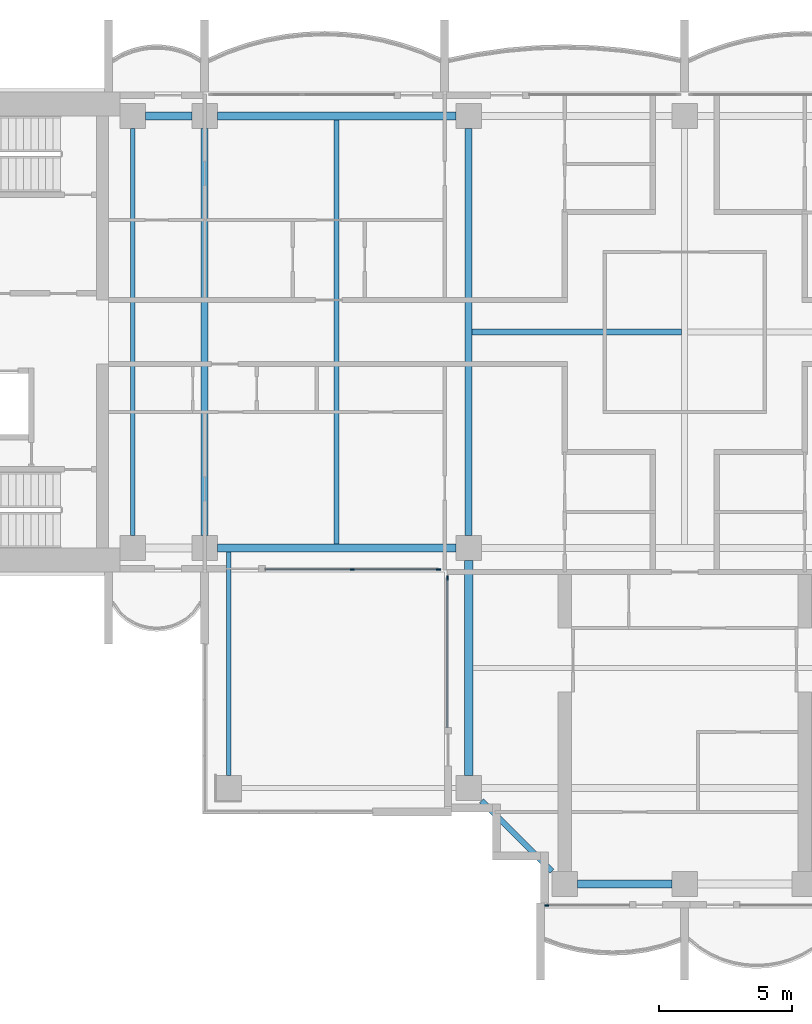
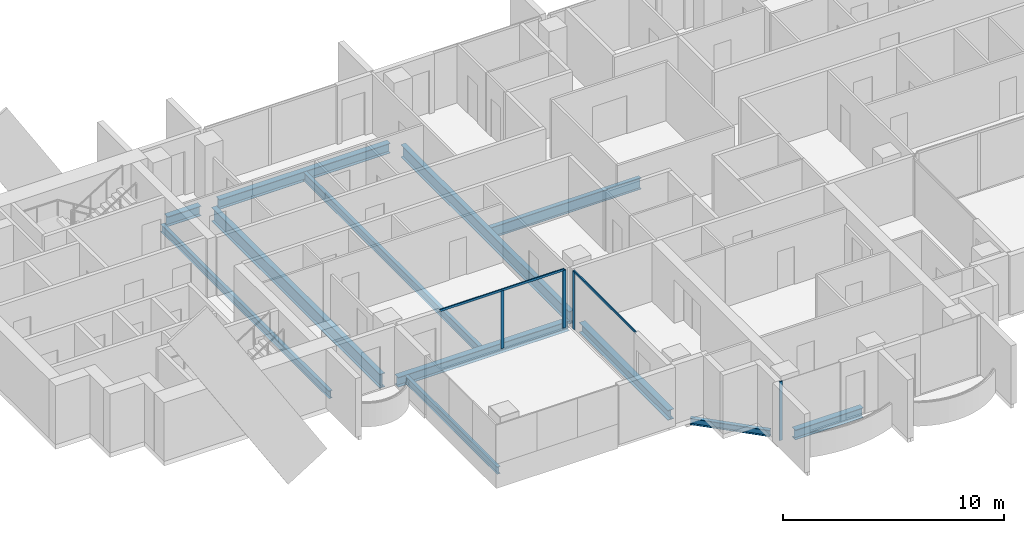
# One storey, part 2 of 18: 12 beams, 6 members, 3 elements without a shape of their own.
"""IFC4 building model written with IfcOpenShell, lengths in metres."""

from ifc_helpers import new_model, si_unit, direction, frame, origin, origin_2d, place, context, subcontext, project, spatial, rectangle, i_section, extrude, material, material_profile, profile_set, type_object, element, aggregate, save


model = new_model("IFC4")

# Units and contexts
model_context = context("Model", 3, precision=1e-05, world=origin(), true_north=direction((0.0, 1.0)))
body_context = subcontext(model_context, "Body", "Model", "MODEL_VIEW")
ifc_project = project(units=[si_unit("LENGTHUNIT", "METRE"), si_unit("AREAUNIT", "SQUARE_METRE"), si_unit("VOLUMEUNIT", "CUBIC_METRE"), si_unit("PLANEANGLEUNIT", "RADIAN"), si_unit("MASSUNIT", "GRAM", prefix="KILO")], contexts=[model_context])

# Site, building, storey
site_placement = place(None, origin())
site = spatial("IfcSite", under=ifc_project, at=site_placement, CompositionType="ELEMENT")
building_placement = place(site_placement, origin())
building = spatial("IfcBuilding", under=site, at=building_placement, Name="Perihelion Cross Residences", CompositionType="ELEMENT")
storey_placement = place(building_placement, frame((0.0, 0.0, 177.10009765625)))
storey = spatial("IfcBuildingStorey", under=building, at=storey_placement, Name="L43", CompositionType="ELEMENT", Elevation=177.10009765625)

# Curtain wall, members
ifc_material_1 = material(Name="Bronze anodised aluminium, tinted glazing", Category="aluminium")
curtain_wall_type = type_object("IfcCurtainWallType", Name="CW1", PredefinedType="NOTDEFINED", material=ifc_material_1)
curtain_wall_1_placement = place(storey_placement, origin())
curtain_wall_1 = element("IfcCurtainWall", 1, at=curtain_wall_1_placement, inside=storey, type_object=curtain_wall_type, Name="Curtain wall CW1 L43 west side south bay 2", PredefinedType="NOTDEFINED")
ifc_material_2 = material(Name="Bronze anodised aluminium", Category="aluminium")
ifc_material_profile_1 = material_profile(ifc_material_2, rectangle(XDim=0.06005859375, YDim=0.159912109375, at=origin_2d()), Name="CW1 mullion")
ifc_profile_set_1 = profile_set([ifc_material_profile_1], Name="Bronze anodised aluminium")
member_type_1 = type_object("IfcMemberType", Name="CW1 mullion", PredefinedType="MULLION", material=ifc_profile_set_1)
member_1_placement = place(storey_placement, frame((-12.46240234375, -8.89990234375, 0.0), z_axis=(0.0, 0.0, 1.0), x_axis=(0.0, 1.0, 0.0)))
member_1 = element("IfcMember", 2, at=member_1_placement, type_object=member_type_1, Name="CW1 mullion 2", PredefinedType="MULLION", context=body_context, shape_type="SweptSolid", body=[
    extrude(rectangle(XDim=0.06005859375, YDim=0.159912109375, at=origin_2d()), origin(), (0.0, 0.0, 1.0), 3.18994140625),
])
member_2_placement = place(storey_placement, frame((-9.22998046875, -8.89990234375, 0.0), z_axis=(0.0, 0.0, 1.0), x_axis=(0.0, 1.0, 0.0)))
member_2 = element("IfcMember", 3, at=member_2_placement, type_object=member_type_1, Name="CW1 mullion 3", PredefinedType="MULLION", context=body_context, shape_type="SweptSolid", body=[
    extrude(rectangle(XDim=0.06005859375, YDim=0.159912109375, at=origin_2d()), origin(), (0.0, 0.0, 1.0), 3.18994140625),
])

# Curtain wall, member
curtain_wall_2_placement = place(storey_placement, origin())
curtain_wall_2 = element("IfcCurtainWall", 4, at=curtain_wall_2_placement, inside=storey, type_object=curtain_wall_type, Name="Curtain wall CW1 L43 south side west bay 1", PredefinedType="NOTDEFINED")
member_3_placement = place(storey_placement, frame((-8.89990234375, -9.22998046875, 0.0), z_axis=(0.0, 0.0, 1.0), x_axis=(1.0, 0.0, 0.0)))
member_3 = element("IfcMember", 5, at=member_3_placement, type_object=member_type_1, Name="CW1 mullion 1", PredefinedType="MULLION", context=body_context, shape_type="SweptSolid", body=[
    extrude(rectangle(XDim=0.06005859375, YDim=0.159912109375, at=origin_2d()), origin(), (0.0, 0.0, 1.0), 3.18994140625),
])

curtain_wall_3_placement = place(storey_placement, origin())
curtain_wall_3 = element("IfcCurtainWall", 6, at=curtain_wall_3_placement, inside=storey, type_object=curtain_wall_type, Name="Curtain wall CW1 L43 south tip south bay 1", PredefinedType="NOTDEFINED")
member_4_placement = place(storey_placement, frame((-5.169921875, -21.5, 0.0), z_axis=(0.0, 0.0, 1.0), x_axis=(0.0, 1.0, 0.0)))
member_4 = element("IfcMember", 7, at=member_4_placement, type_object=member_type_1, Name="CW1 mullion 1", PredefinedType="MULLION", context=body_context, shape_type="SweptSolid", body=[
    extrude(rectangle(XDim=0.06005859375, YDim=0.159912109375, at=origin_2d()), origin(), (0.0, 0.0, 1.0), 3.25),
])
aggregate(curtain_wall_3, [member_4])

# Member
ifc_material_3 = material(Name="Bronze anodised aluminium", Category="aluminium")
ifc_material_profile_2 = material_profile(ifc_material_3, rectangle(XDim=0.06005859375, YDim=0.1201171875, at=origin_2d()), Name="CW1 transom")
ifc_profile_set_2 = profile_set([ifc_material_profile_2], Name="Bronze anodised aluminium")
member_type_2 = type_object("IfcMemberType", Name="CW1 transom", PredefinedType="USERDEFINED", material=ifc_profile_set_2)
member_5_placement = place(storey_placement, frame((-15.72509765625, -8.89990234375, 3.219970703125), z_axis=(1.0, 0.0, 0.0), x_axis=(0.0, 1.0, 0.0)))
member_5 = element("IfcMember", 8, at=member_5_placement, type_object=member_type_2, Name="CW1 head transom", ObjectType="TRANSOM", PredefinedType="USERDEFINED", context=body_context, shape_type="SweptSolid", body=[
    extrude(rectangle(XDim=0.06005859375, YDim=0.1201171875, at=origin_2d()), origin(), (0.0, 0.0, 1.0), 6.4951171875),
])

aggregate(curtain_wall_1, [member_1, member_2, member_5])

member_6_placement = place(storey_placement, frame((-8.89990234375, -9.22998046875, 3.219970703125), z_axis=(0.0, -1.0, 0.0), x_axis=(1.0, 0.0, 0.0)))
member_6 = element("IfcMember", 9, at=member_6_placement, type_object=member_type_2, Name="CW1 head transom", ObjectType="TRANSOM", PredefinedType="USERDEFINED", context=body_context, shape_type="SweptSolid", body=[
    extrude(rectangle(XDim=0.06005859375, YDim=0.1201171875, at=origin_2d()), origin(), (0.0, 0.0, 1.0), 5.594970703125),
])

aggregate(curtain_wall_2, [member_3, member_6])

# Beams
ifc_material_4 = material(Name="Steel S355", Category="steel")
ifc_material_profile_3 = material_profile(ifc_material_4, i_section(OverallWidth=0.177978515625, OverallDepth=0.406005859375, WebThickness=0.0078125, FlangeThickness=0.0126953125, at=origin_2d()), Name="W410x60")
ifc_profile_set_3 = profile_set([ifc_material_profile_3], Name="Steel S355")
beam_type_1 = type_object("IfcBeamType", Name="Core edge beam W410x60", PredefinedType="BEAM", material=ifc_profile_set_3)
beam_1_placement = place(storey_placement, frame((-17.10009765625, -8.256103515625, -0.453125), z_axis=(0.0, -1.0, 0.0), x_axis=(1.0, 0.0, 0.0)))
element("IfcBeam", 10, at=beam_1_placement, inside=storey, type_object=beam_type_1, Name="Core edge beam TB2 L43 corner no. 1", PredefinedType="BEAM", context=body_context, shape_type="SweptSolid", body=[
    extrude(i_section(OverallWidth=0.177978515625, OverallDepth=0.406005859375, WebThickness=0.0078125, FlangeThickness=0.0126953125, at=origin_2d()), origin(), (0.0, 0.0, 1.0), 8.368896484375),
])
ifc_material_5 = material(Name="Steel S355", Category="steel")
ifc_material_profile_4 = material_profile(ifc_material_5, i_section(OverallWidth=0.180908203125, OverallDepth=0.4169921875, WebThickness=0.010986328125, FlangeThickness=0.018310546875, at=origin_2d()), Name="W410x85")
ifc_profile_set_4 = profile_set([ifc_material_profile_4], Name="Steel S355")
beam_type_2 = type_object("IfcBeamType", Name="Core edge beam W410x85", PredefinedType="BEAM", material=ifc_profile_set_4)
beam_2_placement = place(storey_placement, frame((-20.699951171875, -7.625, -0.45849609375), z_axis=(0.0, 1.0, 0.0), x_axis=(-1.0, 0.0, 0.0)))
element("IfcBeam", 11, at=beam_2_placement, inside=storey, type_object=beam_type_2, Name="Core edge beam TB6 L43 no. 1", PredefinedType="BEAM", context=body_context, shape_type="SweptSolid", body=[
    extrude(i_section(OverallWidth=0.180908203125, OverallDepth=0.4169921875, WebThickness=0.010986328125, FlangeThickness=0.018310546875, at=origin_2d()), origin(), (0.0, 0.0, 1.0), 15.25),
])
ifc_material_6 = material(Name="Steel S355", Category="steel")
ifc_material_profile_5 = material_profile(ifc_material_6, i_section(OverallWidth=0.31201171875, OverallDepth=0.5439453125, WebThickness=0.0126953125, FlangeThickness=0.020263671875, at=origin_2d()), Name="W530x150")
ifc_profile_set_5 = profile_set([ifc_material_profile_5], Name="Steel S355")
beam_type_3 = type_object("IfcBeamType", Name="Edge beam W530x150", PredefinedType="SPANDREL", material=ifc_profile_set_5)
beam_3_placement = place(storey_placement, frame((-8.574951171875, 8.10009765625, -0.522216796875), z_axis=(-1.0, 0.0, 0.0), x_axis=(0.0, -1.0, 0.0)))
element("IfcBeam", 12, at=beam_3_placement, inside=storey, type_object=beam_type_3, Name="Edge beam SB4 L43 no. 6", PredefinedType="SPANDREL", context=body_context, shape_type="SweptSolid", body=[
    extrude(i_section(OverallWidth=0.31201171875, OverallDepth=0.5439453125, WebThickness=0.0126953125, FlangeThickness=0.020263671875, at=origin_2d()), origin(), (0.0, 0.0, 1.0), 8.949951171875),
])
beam_4_placement = place(storey_placement, frame((-18.47509765625, 8.10009765625, -0.522216796875), z_axis=(-1.0, 0.0, 0.0), x_axis=(0.0, -1.0, 0.0)))
element("IfcBeam", 13, at=beam_4_placement, inside=storey, type_object=beam_type_3, Name="Edge beam SB4 L43 no. 2", PredefinedType="SPANDREL", context=body_context, shape_type="SweptSolid", body=[
    extrude(i_section(OverallWidth=0.31201171875, OverallDepth=0.5439453125, WebThickness=0.0126953125, FlangeThickness=0.020263671875, at=origin_2d()), origin(), (0.0, 0.0, 1.0), 1.75),
])
beam_5_placement = place(storey_placement, frame((-17.52490234375, -8.10009765625, -0.522216796875), z_axis=(1.0, 0.0, 0.0), x_axis=(0.0, 1.0, 0.0)))
element("IfcBeam", 14, at=beam_5_placement, inside=storey, type_object=beam_type_3, Name="Edge beam SB4 L43 no. 1", PredefinedType="SPANDREL", context=body_context, shape_type="SweptSolid", body=[
    extrude(i_section(OverallWidth=0.31201171875, OverallDepth=0.5439453125, WebThickness=0.0126953125, FlangeThickness=0.020263671875, at=origin_2d()), origin(), (0.0, 0.0, 1.0), 8.949951171875),
])
beam_6_placement = place(storey_placement, frame((-8.10009765625, -8.574951171875, -0.522216796875), z_axis=(0.0, -1.0, 0.0), x_axis=(1.0, 0.0, 0.0)))
element("IfcBeam", 15, at=beam_6_placement, inside=storey, type_object=beam_type_3, Name="Edge beam SB4 L43 no. 5", PredefinedType="SPANDREL", context=body_context, shape_type="SweptSolid", body=[
    extrude(i_section(OverallWidth=0.31201171875, OverallDepth=0.5439453125, WebThickness=0.0126953125, FlangeThickness=0.020263671875, at=origin_2d()), origin(), (0.0, 0.0, 1.0), 8.050048828125),
])
beam_7_placement = place(storey_placement, frame((-4.02490234375, -20.699951171875, -0.522216796875), z_axis=(1.0, 0.0, 0.0), x_axis=(0.0, 1.0, 0.0)))
element("IfcBeam", 16, at=beam_7_placement, inside=storey, type_object=beam_type_3, Name="Edge beam SB4 L43 no. 4", PredefinedType="SPANDREL", context=body_context, shape_type="SweptSolid", body=[
    extrude(i_section(OverallWidth=0.31201171875, OverallDepth=0.5439453125, WebThickness=0.0126953125, FlangeThickness=0.020263671875, at=origin_2d()), origin(), (0.0, 0.0, 1.0), 3.5498046875),
])
ifc_material_7 = material(Name="Steel S355", Category="steel")
ifc_material_profile_6 = material_profile(ifc_material_7, i_section(OverallWidth=0.26708984375, OverallDepth=0.77001953125, WebThickness=0.015625, FlangeThickness=0.025390625, at=origin_2d()), Name="W760x196")
ifc_profile_set_6 = profile_set([ifc_material_profile_6], Name="Steel S355")
beam_type_4 = type_object("IfcBeamType", Name="Floor girder W760x196", PredefinedType="BEAM", material=ifc_profile_set_6)
beam_8_placement = place(storey_placement, frame((-18.0, -7.625, -0.635009765625), z_axis=(0.0, 1.0, 0.0), x_axis=(-1.0, 0.0, 0.0)))
element("IfcBeam", 17, at=beam_8_placement, inside=storey, type_object=beam_type_4, Name="Girder G4 L43 no. 1", PredefinedType="BEAM", context=body_context, shape_type="SweptSolid", body=[
    extrude(i_section(OverallWidth=0.26708984375, OverallDepth=0.77001953125, WebThickness=0.015625, FlangeThickness=0.025390625, at=origin_2d()), origin(), (0.0, 0.0, 1.0), 15.25),
])
ifc_material_8 = material(Name="Steel S355", Category="steel")
ifc_material_profile_7 = material_profile(ifc_material_8, i_section(OverallWidth=0.19091796875, OverallDepth=0.45703125, WebThickness=0.009033203125, FlangeThickness=0.014404296875, at=origin_2d()), Name="W460x74")
ifc_profile_set_7 = profile_set([ifc_material_profile_7], Name="Steel S355")
beam_type_5 = type_object("IfcBeamType", Name="Floor joist W460x74", PredefinedType="JOIST", material=ifc_profile_set_7)
beam_9_placement = place(storey_placement, frame((-13.050048828125, -7.944091796875, -0.478515625), z_axis=(0.0, 1.0, 0.0), x_axis=(-1.0, 0.0, 0.0)))
element("IfcBeam", 18, at=beam_9_placement, inside=storey, type_object=beam_type_5, Name="Joist J5 L43 no. 1", PredefinedType="JOIST", context=body_context, shape_type="SweptSolid", body=[
    extrude(i_section(OverallWidth=0.19091796875, OverallDepth=0.45703125, WebThickness=0.009033203125, FlangeThickness=0.014404296875, at=origin_2d()), origin(), (0.0, 0.0, 1.0), 15.88818359375),
])
ifc_material_9 = material(Name="Steel S355", Category="steel")
ifc_material_profile_8 = material_profile(ifc_material_9, i_section(OverallWidth=0.22900390625, OverallDepth=0.612060546875, WebThickness=0.011962890625, FlangeThickness=0.01953125, at=origin_2d()), Name="W610x125")
ifc_profile_set_8 = profile_set([ifc_material_profile_8], Name="Steel S355")
beam_type_6 = type_object("IfcBeamType", Name="Hub cross beam W610x125", PredefinedType="BEAM", material=ifc_profile_set_8)
beam_10_placement = place(storey_placement, frame((-7.971435546875, 0.0, -0.55615234375), z_axis=(1.0, 0.0, 0.0), x_axis=(0.0, 1.0, 0.0)))
element("IfcBeam", 19, at=beam_10_placement, inside=storey, type_object=beam_type_6, Name="Hub cross beam XB4 L43 1 no. 1", PredefinedType="BEAM", context=body_context, shape_type="SweptSolid", body=[
    extrude(i_section(OverallWidth=0.22900390625, OverallDepth=0.612060546875, WebThickness=0.011962890625, FlangeThickness=0.01953125, at=origin_2d()), origin(), (0.0, 0.0, 1.0), 7.85693359375),
])
ifc_material_10 = material(Name="Steel S355", Category="steel")
ifc_material_profile_9 = material_profile(ifc_material_10, i_section(OverallWidth=0.257080078125, OverallDepth=0.693115234375, WebThickness=0.014404296875, FlangeThickness=0.023681640625, at=origin_2d()), Name="W690x170")
ifc_profile_set_9 = profile_set([ifc_material_profile_9], Name="Steel S355")
beam_type_7 = type_object("IfcBeamType", Name="Hub ring girder W690x170", PredefinedType="BEAM", material=ifc_profile_set_9)
beam_11_placement = place(storey_placement, frame((-8.10009765625, 7.625, -0.5966796875), z_axis=(0.0, -1.0, 0.0), x_axis=(1.0, 0.0, 0.0)))
element("IfcBeam", 20, at=beam_11_placement, inside=storey, type_object=beam_type_7, Name="Hub ring girder RG4 L43 no. 2", PredefinedType="BEAM", context=body_context, shape_type="SweptSolid", body=[
    extrude(i_section(OverallWidth=0.257080078125, OverallDepth=0.693115234375, WebThickness=0.014404296875, FlangeThickness=0.023681640625, at=origin_2d()), origin(), (0.0, 0.0, 1.0), 15.25),
])
ifc_material_11 = material(Name="Steel S355", Category="steel")
ifc_material_profile_10 = material_profile(ifc_material_11, i_section(OverallWidth=0.205078125, OverallDepth=0.35302734375, WebThickness=0.009521484375, FlangeThickness=0.016845703125, at=origin_2d()), Name="W360x79")
ifc_profile_set_10 = profile_set([ifc_material_profile_10], Name="Steel S355")
beam_type_8 = type_object("IfcBeamType", Name="Serration edge beam W360x79", PredefinedType="BEAM", material=ifc_profile_set_10)
beam_12_placement = place(storey_placement, frame((-7.625, -17.574951171875, -0.426513671875), z_axis=(0.70707420838, -0.707139352493, 0.0), x_axis=(0.707139352493, 0.70707420838, 0.0)))
element("IfcBeam", 21, at=beam_12_placement, inside=storey, type_object=beam_type_8, Name="Serration edge beam EB4 L43 no. 1", PredefinedType="BEAM", context=body_context, shape_type="SweptSolid", body=[
    extrude(i_section(OverallWidth=0.205078125, OverallDepth=0.35302734375, WebThickness=0.009521484375, FlangeThickness=0.016845703125, at=origin_2d()), origin(), (0.0, 0.0, 1.0), 3.747802734375),
])

save(model, "model.ifc")
